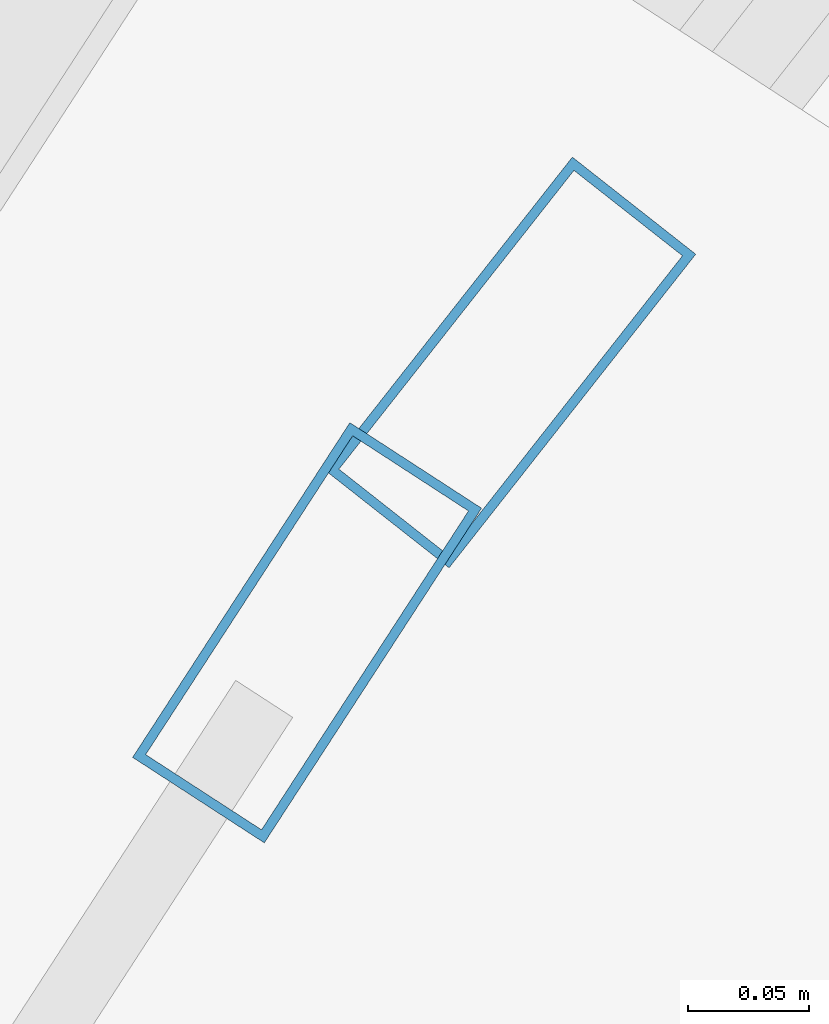
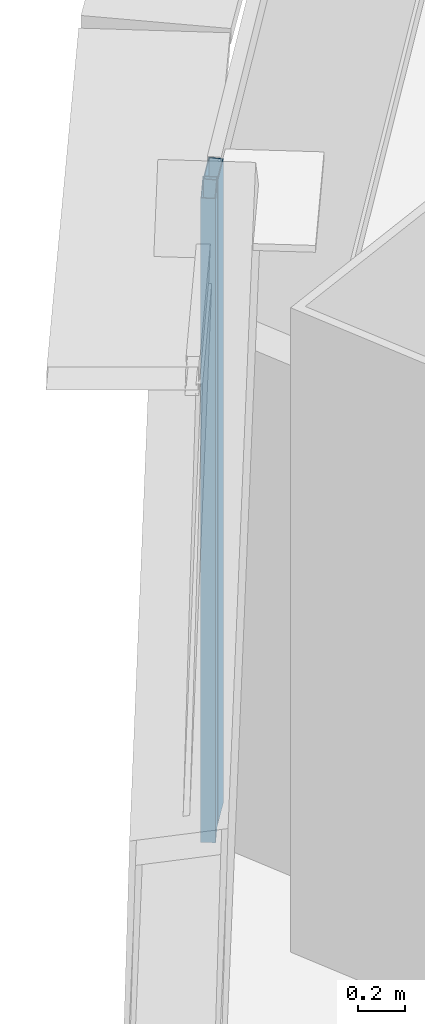
# One storey, part 18 of 37: 2 members, 2 elements without a shape of their own.
"""IFC4 building model written with IfcOpenShell, lengths in metres."""

from ifc_helpers import new_model, si_unit, direction, frame, origin, origin_2d, place, context, subcontext, project, spatial, hollow_rectangle, extrude, source, transform, mapped, material, layer, layer_set, material_profile, profile_set, type_object, element, aggregate, save


model = new_model("IFC4")

# Units and contexts
model_context = context("Model", 3, precision=1e-05, world=origin(), true_north=direction((0.0, 1.0)))
body_context = subcontext(model_context, "Body", "Model", "MODEL_VIEW")
ifc_project = project(units=[si_unit("LENGTHUNIT", "METRE"), si_unit("AREAUNIT", "SQUARE_METRE"), si_unit("VOLUMEUNIT", "CUBIC_METRE"), si_unit("PLANEANGLEUNIT", "RADIAN"), si_unit("MASSUNIT", "GRAM", prefix="KILO"), si_unit("THERMODYNAMICTEMPERATUREUNIT", "KELVIN"), si_unit("POWERUNIT", "WATT")], contexts=[model_context])

# Site, building, storey
site_placement = place(None, origin())
site = spatial("IfcSite", under=ifc_project, at=site_placement, CompositionType="ELEMENT")
building_placement = place(site_placement, origin())
building = spatial("IfcBuilding", under=site, at=building_placement, Name="Yunzhuo Pagoda Commons", CompositionType="ELEMENT")
storey_placement = place(building_placement, frame((0.0, 0.0, 59.43994140625)))
storey = spatial("IfcBuildingStorey", under=building, at=storey_placement, Name="L15", CompositionType="ELEMENT", Elevation=59.43994140625)

# Curtain wall, member
ifc_material = material(Name="Anodized aluminium 6063-T6", Category="aluminium")
ifc_layer = layer(ifc_material, 0.1650390625)
ifc_layer_set = layer_set([ifc_layer], Name="Anodized aluminium 6063-T6")
curtain_wall_type = type_object("IfcCurtainWallType", Name="CW-LOW Low-Zone Ribbon Curtain Wall", PredefinedType="NOTDEFINED", material=ifc_layer_set)
curtain_wall_1_placement = place(storey_placement, origin())
curtain_wall_1 = element("IfcCurtainWall", 1, at=curtain_wall_1_placement, inside=storey, type_object=curtain_wall_type, Name="L15 curtain wall CW-L15-F3B2", PredefinedType="NOTDEFINED")
ifc_material_profile = material_profile(ifc_material, hollow_rectangle(XDim=0.06494140625, YDim=0.1650390625, WallThickness=0.00390625, at=origin_2d()), Name="Anodized aluminium 6063-T6")
ifc_profile_set = profile_set([ifc_material_profile], Name="Anodized aluminium 6063-T6")
member_type = type_object("IfcMemberType", Name="CW-LOW-M Mullion RHS 165x65x4", PredefinedType="MULLION", material=ifc_profile_set)
shared_shape = source(origin(), body_context, "Body", "SweptSolid", [
    extrude(hollow_rectangle(XDim=0.06494140625, YDim=0.1650390625, WallThickness=0.00390625, at=origin_2d()), origin(), (0.0, 0.0, 1.0), 3.3701171875),
])
member_1_placement = place(storey_placement, frame((30.810546875, 72.240966796875, 0.0), z_axis=(0.0, 0.0, 1.0), x_axis=(0.838776712394, -0.544475552018, 0.0)))
member_1 = element("IfcMember", 2, at=member_1_placement, type_object=member_type, Name="CW mullion 1", PredefinedType="MULLION", context=body_context, shape_type="MappedRepresentation", body=[
    mapped(shared_shape, transform((0.0, 0.0, 0.0), scale=1.0)),
])
aggregate(curtain_wall_1, [member_1])

curtain_wall_2_placement = place(storey_placement, origin())
curtain_wall_2 = element("IfcCurtainWall", 3, at=curtain_wall_2_placement, inside=storey, type_object=curtain_wall_type, Name="L15 curtain wall CW-L15-F3B1", PredefinedType="NOTDEFINED")
member_2_placement = place(storey_placement, frame((30.894775390625, 72.352783203125, 0.0), z_axis=(0.0, 0.0, 1.0), x_axis=(0.785963833081, -0.618272474794, 0.0)))
member_2 = element("IfcMember", 4, at=member_2_placement, type_object=member_type, Name="CW mullion 2", PredefinedType="MULLION", context=body_context, shape_type="MappedRepresentation", body=[
    mapped(shared_shape, transform((0.0, 0.0, 0.0), scale=1.0)),
])
aggregate(curtain_wall_2, [member_2])

save(model, "model.ifc")
